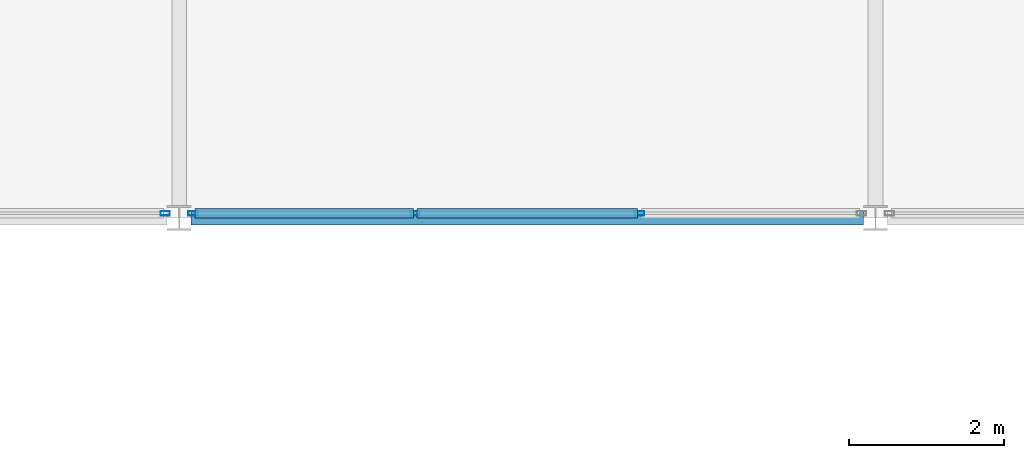
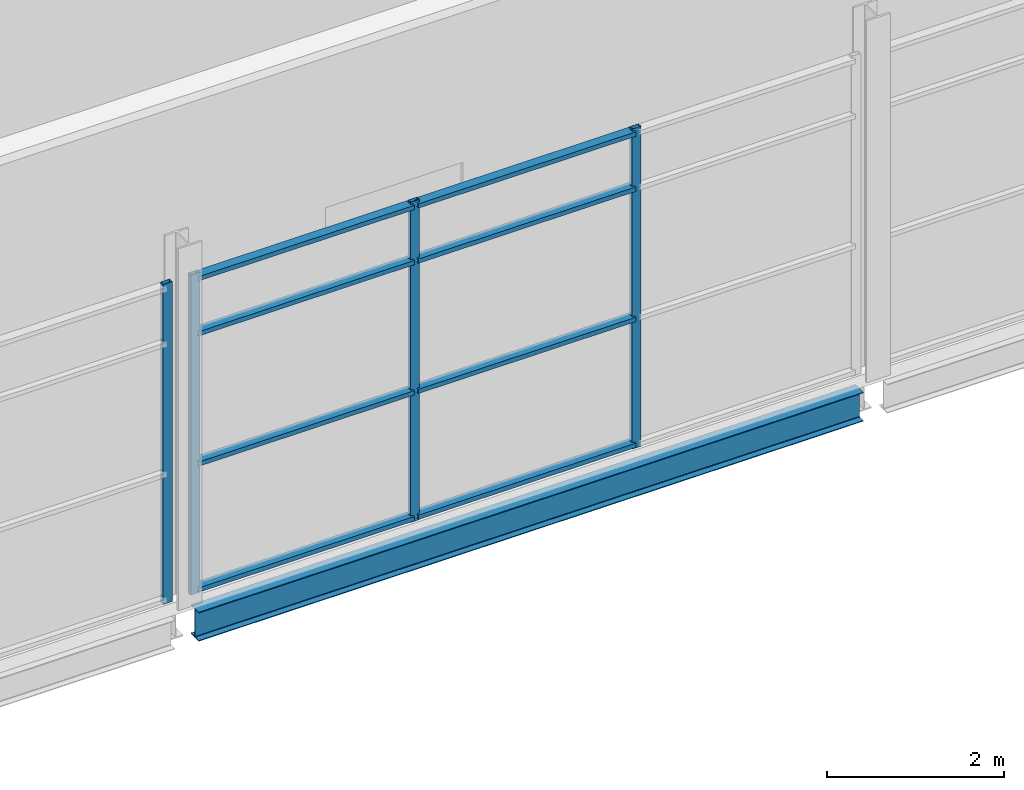
# One storey, part 46 of 112: 12 members, 1 beam, 2 elements without a shape of their own.
"""IFC4 building model written with IfcOpenShell, lengths in metres."""

from ifc_helpers import new_model, si_unit, direction, frame, origin, origin_2d, place, context, subcontext, project, spatial, hollow_rectangle, i_section, extrude, material, layer, layer_set, material_profile, profile_set, type_object, element, aggregate, save


model = new_model("IFC4")

# Units and contexts
model_context = context("Model", 3, precision=1e-05, world=origin(), true_north=direction((0.0, 1.0)))
body_context = subcontext(model_context, "Body", "Model", "MODEL_VIEW")
ifc_project = project(units=[si_unit("LENGTHUNIT", "METRE"), si_unit("AREAUNIT", "SQUARE_METRE"), si_unit("VOLUMEUNIT", "CUBIC_METRE"), si_unit("PLANEANGLEUNIT", "RADIAN"), si_unit("MASSUNIT", "GRAM", prefix="KILO")], contexts=[model_context])

# Site, building, storey
site_placement = place(None, origin())
site = spatial("IfcSite", under=ifc_project, at=site_placement, CompositionType="ELEMENT")
building_placement = place(site_placement, origin())
building = spatial("IfcBuilding", under=site, at=building_placement, Name="Shorebreak Coast Museum", CompositionType="ELEMENT")
storey_placement = place(building_placement, frame((0.0, 0.0, 6.0)))
storey = spatial("IfcBuildingStorey", under=building, at=storey_placement, Name="L01", CompositionType="ELEMENT", Elevation=6.0)

# Beam
ifc_material_1 = material(Name="Steel Grade 300", Category="steel")
ifc_material_profile_1 = material_profile(ifc_material_1, i_section(OverallWidth=0.177978515625, OverallDepth=0.402587890625, WebThickness=0.007568359375, FlangeThickness=0.010986328125, FilletRadius=0.011474609375, at=origin_2d()), Name="410UB53.7")
ifc_profile_set_1 = profile_set([ifc_material_profile_1], Name="Steel Grade 300")
beam_type = type_object("IfcBeamType", Name="Floor girder east-west 410UB53.7", PredefinedType="BEAM", material=ifc_profile_set_1)
beam_placement = place(storey_placement, frame((81.155517578125, 81.0, -0.376220703125), z_axis=(1.0, 0.0, 0.0), x_axis=(0.0, 1.0, 0.0)))
element("IfcBeam", 1, at=beam_placement, inside=storey, type_object=beam_type, Name="Floor girder east-west L01 10K", PredefinedType="BEAM", context=body_context, shape_type="SweptSolid", body=[
    extrude(i_section(OverallWidth=0.177978515625, OverallDepth=0.402587890625, WebThickness=0.007568359375, FlangeThickness=0.010986328125, FilletRadius=0.011474609375, at=origin_2d()), origin(), (0.0, 0.0, 1.0), 8.68896484375),
])

# Curtain wall, member
ifc_material_2 = material(Name="Aluminium", Category="aluminium")
ifc_layer = layer(ifc_material_2, 0.1201171875)
ifc_layer_set = layer_set([ifc_layer], Name="Aluminium")
curtain_wall_type = type_object("IfcCurtainWallType", Name="Atrium fire screen", PredefinedType="NOTDEFINED", material=ifc_layer_set)
curtain_wall_1_placement = place(storey_placement, origin())
curtain_wall_1 = element("IfcCurtainWall", 2, at=curtain_wall_1_placement, inside=storey, type_object=curtain_wall_type, Name="Atrium screen L01 N 8", PredefinedType="NOTDEFINED")
ifc_material_3 = material(Name="Aluminium", Category="aluminium")
ifc_material_profile_2 = material_profile(ifc_material_3, hollow_rectangle(XDim=0.06005859375, YDim=0.1201171875, WallThickness=0.00341796875, at=origin_2d()), Name="AL 120x60 RHS")
ifc_profile_set_2 = profile_set([ifc_material_profile_2], Name="Aluminium")
member_type_1 = type_object("IfcMemberType", Name="Screen mullion 50 x 120", PredefinedType="MULLION", material=ifc_profile_set_2)
member_1_placement = place(storey_placement, frame((80.819580078125, 81.06005859375, 0.0), z_axis=(0.0, 0.0, 1.0), x_axis=(0.0, 1.0, 0.0)))
member_1 = element("IfcMember", 3, at=member_1_placement, type_object=member_type_1, Name="CW6 mullion 4", PredefinedType="MULLION", context=body_context, shape_type="SweptSolid", body=[
    extrude(hollow_rectangle(XDim=0.06005859375, YDim=0.1201171875, WallThickness=0.00341796875, at=origin_2d()), origin(), (0.0, 0.0, 1.0), 4.42236328125),
])
aggregate(curtain_wall_1, [member_1])

# Curtain wall, members
curtain_wall_2_placement = place(storey_placement, origin())
curtain_wall_2 = element("IfcCurtainWall", 4, at=curtain_wall_2_placement, inside=storey, type_object=curtain_wall_type, Name="Atrium screen L01 N 9", PredefinedType="NOTDEFINED")
member_2_placement = place(storey_placement, frame((81.180419921875, 81.06005859375, 0.0), z_axis=(0.0, 0.0, 1.0), x_axis=(0.0, 1.0, 0.0)))
member_2 = element("IfcMember", 5, at=member_2_placement, type_object=member_type_1, Name="CW4 mullion 1", PredefinedType="MULLION", context=body_context, shape_type="SweptSolid", body=[
    extrude(hollow_rectangle(XDim=0.06005859375, YDim=0.1201171875, WallThickness=0.00341796875, at=origin_2d()), origin(), (0.0, 0.0, 1.0), 4.42236328125),
])
member_3_placement = place(storey_placement, frame((84.0517578125, 81.06005859375, 0.0), z_axis=(0.0, 0.0, 1.0), x_axis=(0.0, 1.0, 0.0)))
member_3 = element("IfcMember", 6, at=member_3_placement, type_object=member_type_1, Name="CW4 mullion 2", PredefinedType="MULLION", context=body_context, shape_type="SweptSolid", body=[
    extrude(hollow_rectangle(XDim=0.06005859375, YDim=0.1201171875, WallThickness=0.00341796875, at=origin_2d()), origin(), (0.0, 0.0, 1.0), 4.42236328125),
])
member_4_placement = place(storey_placement, frame((86.9482421875, 81.06005859375, 0.0), z_axis=(0.0, 0.0, 1.0), x_axis=(0.0, 1.0, 0.0)))
member_4 = element("IfcMember", 7, at=member_4_placement, type_object=member_type_1, Name="CW4 mullion 3", PredefinedType="MULLION", context=body_context, shape_type="SweptSolid", body=[
    extrude(hollow_rectangle(XDim=0.06005859375, YDim=0.1201171875, WallThickness=0.00341796875, at=origin_2d()), origin(), (0.0, 0.0, 1.0), 4.42236328125),
])
ifc_material_4 = material(Name="Aluminium", Category="aluminium")
ifc_material_profile_3 = material_profile(ifc_material_4, hollow_rectangle(XDim=0.1201171875, YDim=0.06005859375, WallThickness=0.00341796875, at=origin_2d()), Name="AL 60x120 RHS")
ifc_profile_set_3 = profile_set([ifc_material_profile_3], Name="Aluminium")
member_type_2 = type_object("IfcMemberType", Name="Screen transom 120 x 50", PredefinedType="USERDEFINED", material=ifc_profile_set_3)
member_5_placement = place(storey_placement, frame((81.20556640625, 81.06005859375, 0.06005859375), z_axis=(1.0, 0.0, 0.0), x_axis=(0.0, 1.0, 0.0)))
member_5 = element("IfcMember", 8, at=member_5_placement, type_object=member_type_2, Name="CW4 transom 1.1", ObjectType="TRANSOM", PredefinedType="USERDEFINED", context=body_context, shape_type="SweptSolid", body=[
    extrude(hollow_rectangle(XDim=0.1201171875, YDim=0.06005859375, WallThickness=0.00341796875, at=origin_2d()), origin(), (0.0, 0.0, 1.0), 2.8212890625),
])
member_6_placement = place(storey_placement, frame((81.20556640625, 81.06005859375, 1.800048828125), z_axis=(1.0, 0.0, 0.0), x_axis=(0.0, 1.0, 0.0)))
member_6 = element("IfcMember", 9, at=member_6_placement, type_object=member_type_2, Name="CW4 transom 1.2", ObjectType="TRANSOM", PredefinedType="USERDEFINED", context=body_context, shape_type="SweptSolid", body=[
    extrude(hollow_rectangle(XDim=0.1201171875, YDim=0.06005859375, WallThickness=0.00341796875, at=origin_2d()), origin(), (0.0, 0.0, 1.0), 2.8212890625),
])
member_7_placement = place(storey_placement, frame((81.20556640625, 81.06005859375, 3.60009765625), z_axis=(1.0, 0.0, 0.0), x_axis=(0.0, 1.0, 0.0)))
member_7 = element("IfcMember", 10, at=member_7_placement, type_object=member_type_2, Name="CW4 transom 1.3", ObjectType="TRANSOM", PredefinedType="USERDEFINED", context=body_context, shape_type="SweptSolid", body=[
    extrude(hollow_rectangle(XDim=0.1201171875, YDim=0.06005859375, WallThickness=0.00341796875, at=origin_2d()), origin(), (0.0, 0.0, 1.0), 2.8212890625),
])
member_8_placement = place(storey_placement, frame((81.20556640625, 81.06005859375, 4.3623046875), z_axis=(1.0, 0.0, 0.0), x_axis=(0.0, 1.0, 0.0)))
member_8 = element("IfcMember", 11, at=member_8_placement, type_object=member_type_2, Name="CW4 transom 1.4", ObjectType="TRANSOM", PredefinedType="USERDEFINED", context=body_context, shape_type="SweptSolid", body=[
    extrude(hollow_rectangle(XDim=0.1201171875, YDim=0.06005859375, WallThickness=0.00341796875, at=origin_2d()), origin(), (0.0, 0.0, 1.0), 2.8212890625),
])
member_9_placement = place(storey_placement, frame((84.076904296875, 81.06005859375, 0.06005859375), z_axis=(1.0, 0.0, 0.0), x_axis=(0.0, 1.0, 0.0)))
member_9 = element("IfcMember", 12, at=member_9_placement, type_object=member_type_2, Name="CW4 transom 2.1", ObjectType="TRANSOM", PredefinedType="USERDEFINED", context=body_context, shape_type="SweptSolid", body=[
    extrude(hollow_rectangle(XDim=0.1201171875, YDim=0.06005859375, WallThickness=0.00341796875, at=origin_2d()), origin(), (0.0, 0.0, 1.0), 2.84619140625),
])
member_10_placement = place(storey_placement, frame((84.076904296875, 81.06005859375, 1.800048828125), z_axis=(1.0, 0.0, 0.0), x_axis=(0.0, 1.0, 0.0)))
member_10 = element("IfcMember", 13, at=member_10_placement, type_object=member_type_2, Name="CW4 transom 2.2", ObjectType="TRANSOM", PredefinedType="USERDEFINED", context=body_context, shape_type="SweptSolid", body=[
    extrude(hollow_rectangle(XDim=0.1201171875, YDim=0.06005859375, WallThickness=0.00341796875, at=origin_2d()), origin(), (0.0, 0.0, 1.0), 2.84619140625),
])
member_11_placement = place(storey_placement, frame((84.076904296875, 81.06005859375, 3.60009765625), z_axis=(1.0, 0.0, 0.0), x_axis=(0.0, 1.0, 0.0)))
member_11 = element("IfcMember", 14, at=member_11_placement, type_object=member_type_2, Name="CW4 transom 2.3", ObjectType="TRANSOM", PredefinedType="USERDEFINED", context=body_context, shape_type="SweptSolid", body=[
    extrude(hollow_rectangle(XDim=0.1201171875, YDim=0.06005859375, WallThickness=0.00341796875, at=origin_2d()), origin(), (0.0, 0.0, 1.0), 2.84619140625),
])
member_12_placement = place(storey_placement, frame((84.076904296875, 81.06005859375, 4.3623046875), z_axis=(1.0, 0.0, 0.0), x_axis=(0.0, 1.0, 0.0)))
member_12 = element("IfcMember", 15, at=member_12_placement, type_object=member_type_2, Name="CW4 transom 2.4", ObjectType="TRANSOM", PredefinedType="USERDEFINED", context=body_context, shape_type="SweptSolid", body=[
    extrude(hollow_rectangle(XDim=0.1201171875, YDim=0.06005859375, WallThickness=0.00341796875, at=origin_2d()), origin(), (0.0, 0.0, 1.0), 2.84619140625),
])
aggregate(curtain_wall_2, [member_2, member_3, member_4, member_5, member_6, member_7, member_8, member_9, member_10, member_11, member_12])

save(model, "model.ifc")
